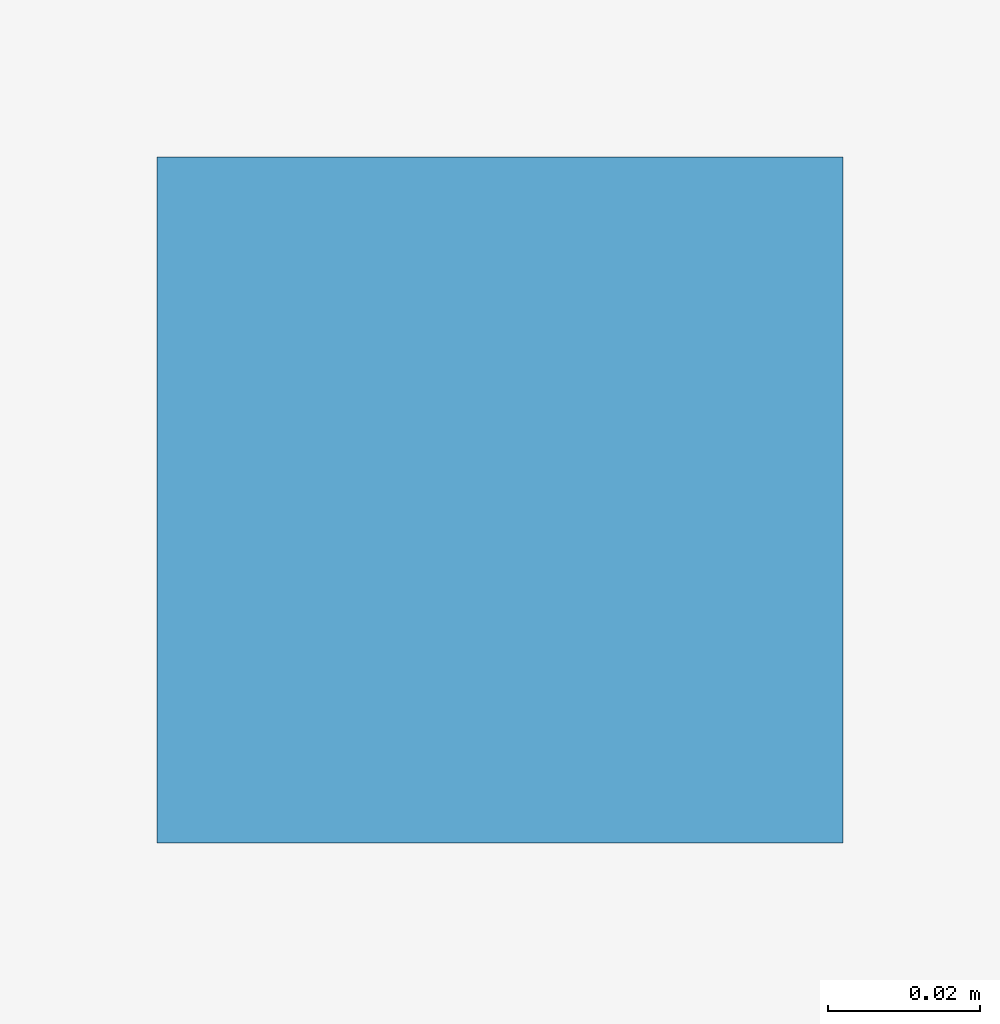
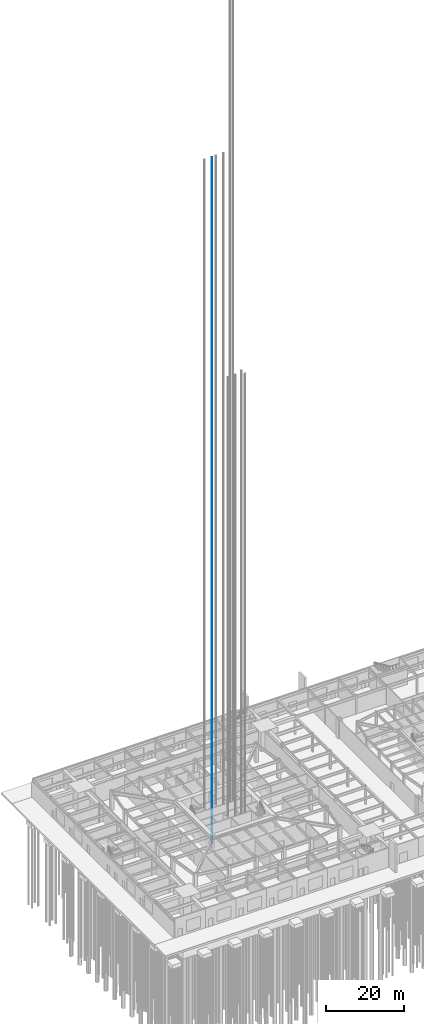
# One storey, part 28 of 37: 1 discrete accessory.
"""IFC4 building model written with IfcOpenShell, lengths in metres."""

from ifc_helpers import new_model, si_unit, direction, frame, origin, origin_2d, place, context, subcontext, project, spatial, rectangle, extrude, material, element, save


model = new_model("IFC4")

# Units and contexts
model_context = context("Model", 3, precision=1e-05, world=origin(), true_north=direction((0.0, 1.0)))
body_context = subcontext(model_context, "Body", "Model", "MODEL_VIEW")
ifc_project = project(units=[si_unit("LENGTHUNIT", "METRE"), si_unit("AREAUNIT", "SQUARE_METRE"), si_unit("VOLUMEUNIT", "CUBIC_METRE"), si_unit("PLANEANGLEUNIT", "RADIAN"), si_unit("MASSUNIT", "GRAM", prefix="KILO")], contexts=[model_context])

# Site, building, storey
site_placement = place(None, origin())
site = spatial("IfcSite", under=ifc_project, at=site_placement, CompositionType="ELEMENT")
building_placement = place(site_placement, origin())
building = spatial("IfcBuilding", under=site, at=building_placement, Name="Iwan Alto Co-Living Towers", CompositionType="ELEMENT")
storey_placement = place(building_placement, origin())
storey = spatial("IfcBuildingStorey", under=building, at=storey_placement, Name="L00", CompositionType="ELEMENT", Elevation=0.0)

# Discrete accessory
ifc_material = material(Name="Steel ASTM A36", Category="steel")
placement = place(storey_placement, frame((-3.43359375, 3.0, 0.0), z_axis=(0.0, 0.0, 1.0), x_axis=(1.0, 0.0, 0.0)))
discrete_accessory_placement = place(placement, origin())
element("IfcDiscreteAccessory", 1, at=discrete_accessory_placement, inside=storey, material=ifc_material, Name="Lift P3-1 guide rail 2", ObjectType="Lift guide rail", PredefinedType="USERDEFINED", context=body_context, shape_type="SweptSolid", body=[
    extrude(rectangle(XDim=0.09, YDim=0.09, at=origin_2d()), frame((1.10009765625, 0.0, -5.89990234375)), (0.0, 0.0, 1.0), 213.800048828125),
])

save(model, "model.ifc")
